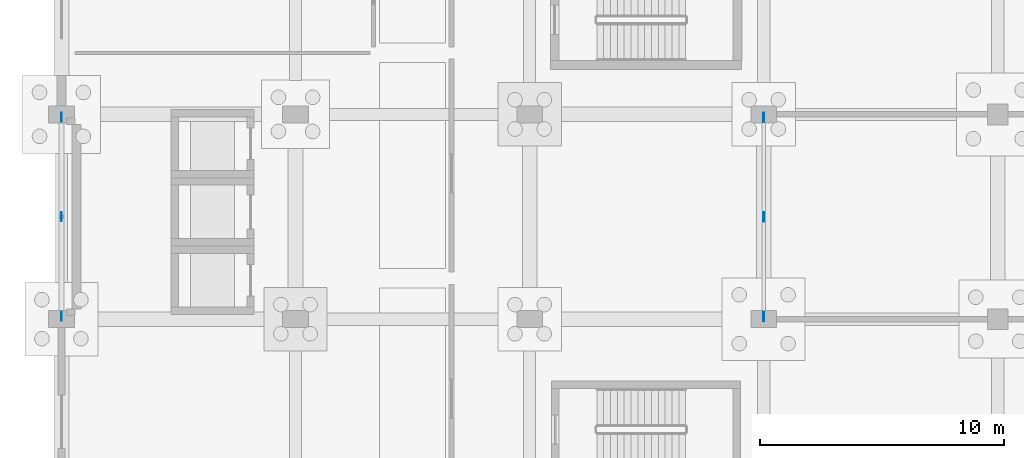
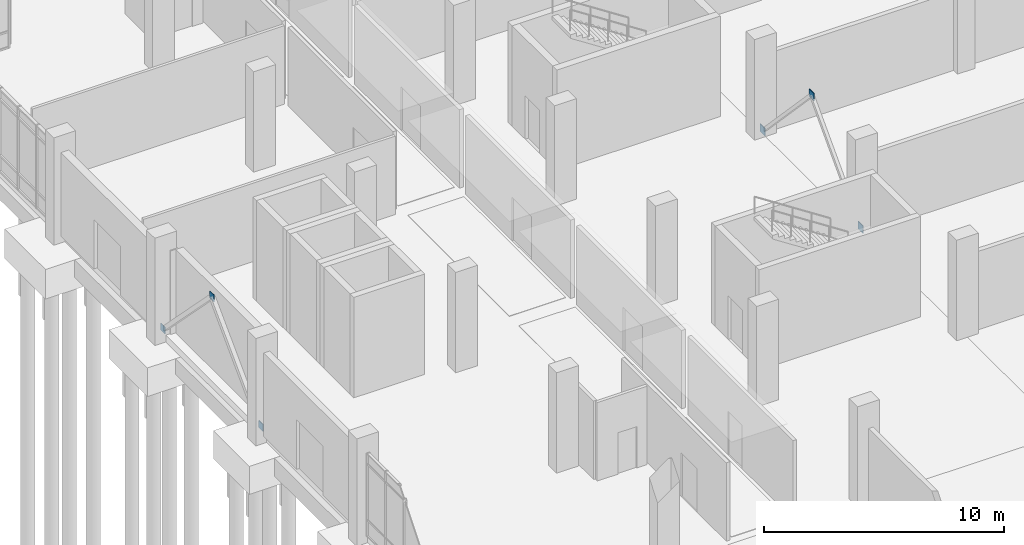
# One storey, part 95 of 136: 6 plates.
"""IFC4 building model written with IfcOpenShell, lengths in metres."""

from ifc_helpers import new_model, si_unit, direction, frame, origin, origin_2d, place, context, subcontext, project, spatial, rectangle, extrude, material, layer, layer_set, type_object, element, save


model = new_model("IFC4")

# Units and contexts
model_context = context("Model", 3, precision=1e-05, world=origin(), true_north=direction((0.0, 1.0)))
body_context = subcontext(model_context, "Body", "Model", "MODEL_VIEW")
ifc_project = project(units=[si_unit("LENGTHUNIT", "METRE"), si_unit("AREAUNIT", "SQUARE_METRE"), si_unit("VOLUMEUNIT", "CUBIC_METRE"), si_unit("PLANEANGLEUNIT", "RADIAN"), si_unit("MASSUNIT", "GRAM", prefix="KILO")], contexts=[model_context])

# Site, building, storey
site_placement = place(None, origin())
site = spatial("IfcSite", under=ifc_project, at=site_placement, CompositionType="ELEMENT")
building_placement = place(site_placement, origin())
building = spatial("IfcBuilding", under=site, at=building_placement, Name="Oolite Switchyard Hospital", CompositionType="ELEMENT")
storey_placement = place(building_placement, origin())
storey = spatial("IfcBuildingStorey", under=building, at=storey_placement, Name="L00", CompositionType="ELEMENT", Elevation=0.0)

# Plates
ifc_material = material(Name="Steel ASTM A572 Grade 50", Category="steel")
ifc_layer_1 = layer(ifc_material, 0.02392578125)
ifc_layer_set_1 = layer_set([ifc_layer_1], Name="PLT-GUS-360")
plate_type_1 = type_object("IfcPlateType", Name="PLT-GUS-360", PredefinedType="SHEET", material=ifc_layer_set_1)
for number, where, z_axis, x_axis, name in (
    (1, (0.0, 50.52001953125, 0.02001953125), (0.0, 0.0, 1.0), (0.0, 1.0, 0.0), "L00 Brace Base Gusset Plate 1"),
    (2, (0.0, 58.679931640625, 0.02001953125), (0.0, 0.0, 1.0), (0.0, 1.0, 0.0), "L00 Brace Base Gusset Plate 2"),
    (3, (0.0, 54.60009765625, 4.1201171875), (0.0, 0.0, 1.0), (0.0, 1.0, 0.0), "L00 Gusset Connection Plate 3"),
):
    element("IfcPlate", number, at=place(storey_placement, frame(where, z_axis=z_axis, x_axis=x_axis)), inside=storey, type_object=plate_type_1, Name=name, PredefinedType="SHEET", context=body_context, shape_type="SweptSolid", body=[
        extrude(rectangle(XDim=0.360107421875, YDim=0.02392578125, at=origin_2d()), origin(), (0.0, 0.0, 1.0), 0.360107421875),
    ])
ifc_layer_2 = layer(ifc_material, 0.02587890625)
ifc_layer_set_2 = layer_set([ifc_layer_2], Name="PLT-GUS-390")
plate_type_2 = type_object("IfcPlateType", Name="PLT-GUS-390", PredefinedType="SHEET", material=ifc_layer_set_2)
for number, where, z_axis, x_axis, name in (
    (4, (28.800048828125, 50.52001953125, 0.0048828125), (0.0, 0.0, 1.0), (0.0, 1.0, 0.0), "L00 Brace Base Gusset Plate 22"),
    (5, (28.800048828125, 58.679931640625, 0.0048828125), (0.0, 0.0, 1.0), (0.0, 1.0, 0.0), "L00 Brace Base Gusset Plate 23"),
    (6, (28.800048828125, 54.60009765625, 4.2548828125), (0.0, 0.0, 1.0), (0.0, 1.0, 0.0), "L00 Gusset Connection Plate 24"),
):
    element("IfcPlate", number, at=place(storey_placement, frame(where, z_axis=z_axis, x_axis=x_axis)), inside=storey, type_object=plate_type_2, Name=name, PredefinedType="SHEET", context=body_context, shape_type="SweptSolid", body=[
        extrude(rectangle(XDim=0.389892578125, YDim=0.02587890625, at=origin_2d()), origin(), (0.0, 0.0, 1.0), 0.389892578125),
    ])

save(model, "model.ifc")
